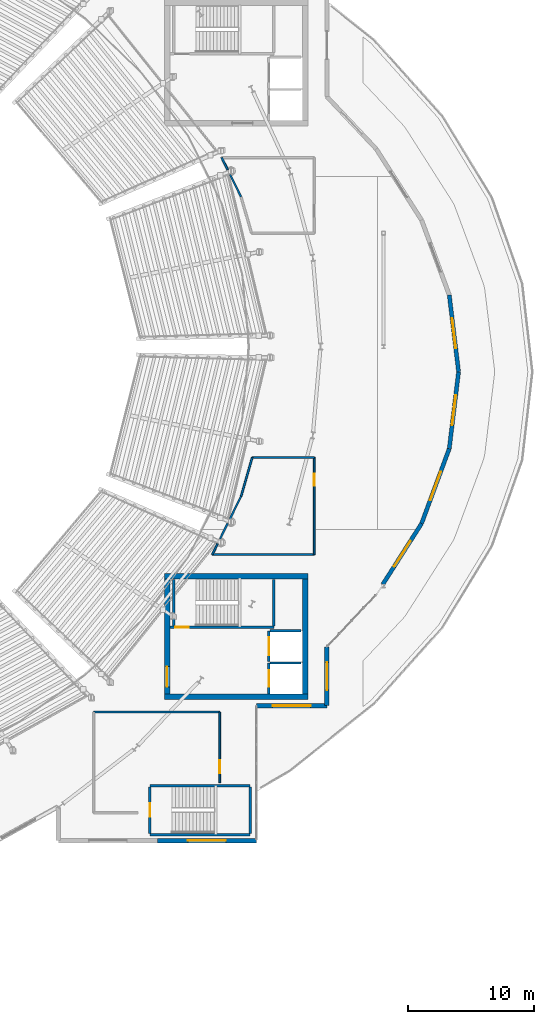
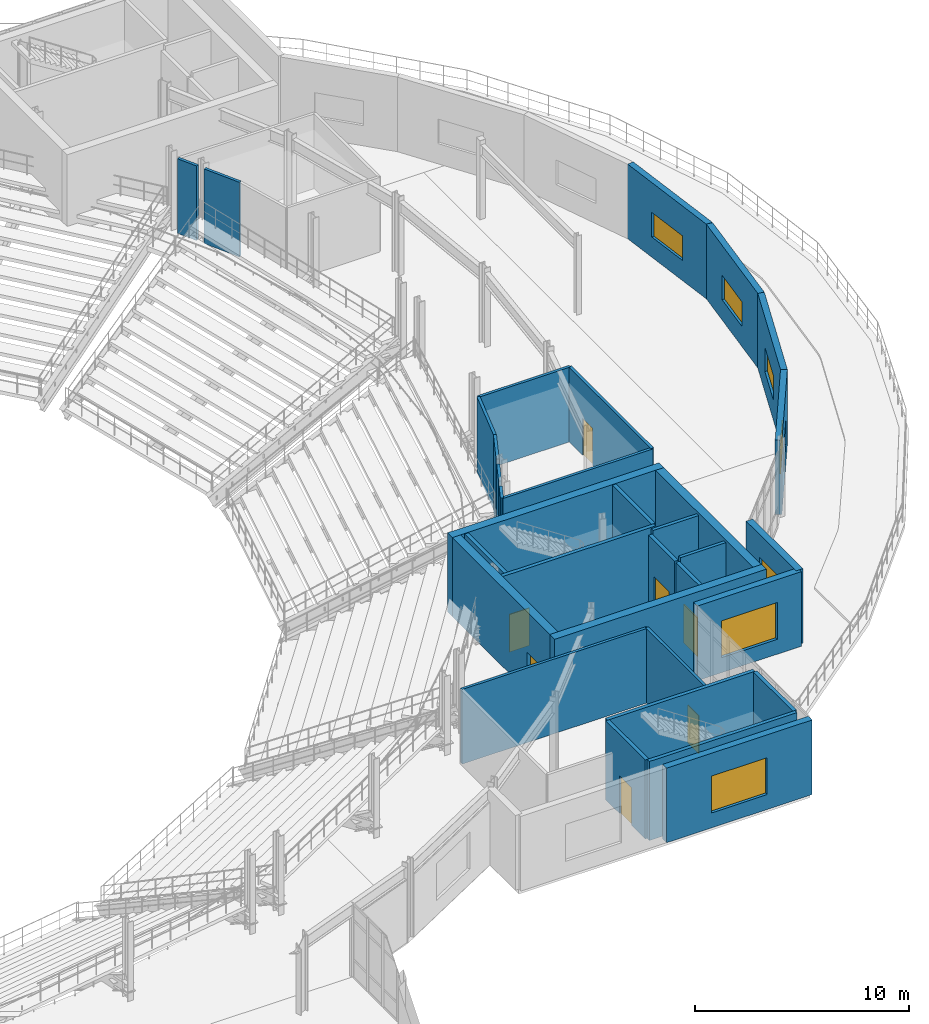
# One storey, part 59 of 81: 33 walls, 7 doors, 7 windows, 14 openings.
"""IFC4 building model written with IfcOpenShell, lengths in metres."""

from ifc_helpers import new_model, si_unit, direction, frame, frame_2d, origin, place, context, subcontext, project, spatial, rectangle, extrude, material, layer, layer_set, type_object, element, fill, save


model = new_model("IFC4")

# Units and contexts
model_context = context("Model", 3, precision=1e-05, world=origin(), true_north=direction((0.0, 1.0)))
body_context = subcontext(model_context, "Body", "Model", "MODEL_VIEW")
ifc_project = project(units=[si_unit("LENGTHUNIT", "METRE"), si_unit("AREAUNIT", "SQUARE_METRE"), si_unit("VOLUMEUNIT", "CUBIC_METRE"), si_unit("PLANEANGLEUNIT", "RADIAN"), si_unit("MASSUNIT", "GRAM", prefix="KILO")], contexts=[model_context])

# Site, building, storey
site_placement = place(None, origin())
site = spatial("IfcSite", under=ifc_project, at=site_placement, CompositionType="ELEMENT")
building_placement = place(site_placement, origin())
building = spatial("IfcBuilding", under=site, at=building_placement, Name="Glasvene Arena", CompositionType="ELEMENT")
storey_placement = place(building_placement, frame((0.0, 0.0, 15.0)))
storey = spatial("IfcBuildingStorey", under=building, at=storey_placement, Name="L03", CompositionType="ELEMENT", Elevation=15.0)

# Walls
ifc_material_1 = material(Name="Concrete C40/50", Category="concrete")
ifc_layer_1 = layer(ifc_material_1, 0.449951171875)
ifc_layer_set_1 = layer_set([ifc_layer_1], Name="Concrete C40/50")
wall_type_1 = type_object("IfcWallType", Name="WL-CORE-450", PredefinedType="SHEAR", material=ifc_layer_set_1)
for number, where, z_axis, x_axis, name in (
    (1, (129.60009765625, 45.22509765625, 0.0), (0.0, 0.0, 1.0), (1.0, 0.0, 0.0), "Core C4 South-East shear wall S L03"),
    (2, (129.60009765625, 54.77490234375, 0.0), (0.0, 0.0, 1.0), (1.0, 0.0, 0.0), "Core C4 South-East shear wall N L03"),
):
    element("IfcWall", number, at=place(storey_placement, frame(where, z_axis=z_axis, x_axis=x_axis)), inside=storey, type_object=wall_type_1, Name=name, PredefinedType="SHEAR", context=body_context, shape_type="SweptSolid", body=[
        extrude(rectangle(XDim=11.39990234375, YDim=0.449951171875, at=frame_2d((5.699951171875, 0.0))), origin(), (0.0, 0.0, 1.0), 4.5),
    ])

# Wall, opening, door
wall_1_placement = place(storey_placement, frame((129.824951171875, 45.449951171875, 0.0), z_axis=(0.0, 0.0, 1.0), x_axis=(0.0, 1.0, 0.0)))
wall_1 = element("IfcWall", 3, at=wall_1_placement, inside=storey, type_object=wall_type_1, Name="Core C4 South-East shear wall W L03", PredefinedType="SHEAR", context=body_context, shape_type="SweptSolid", body=[
    extrude(rectangle(XDim=9.10009765625, YDim=0.449951171875, at=frame_2d((4.550048828125, 0.0))), origin(), (0.0, 0.0, 1.0), 4.5),
])
opening_1_placement = place(wall_1_placement, frame((0.550048828125, 0.0, 0.0)))
opening_1 = element("IfcOpeningElement", 4, at=opening_1_placement, cuts=wall_1, Name="Opening D-02", PredefinedType="OPENING", context=body_context, shape_type="SweptSolid", body=[
    extrude(rectangle(XDim=1.60009765625, YDim=2.199951171875, at=frame_2d((0.800048828125, 1.10009765625))), frame((0.0, 0.23486328125, 0.0), z_axis=(0.0, -1.0, 0.0), x_axis=(1.0, 0.0, 0.0)), (0.0, 0.0, 1.0), 0.469970703125),
])
ifc_material_2 = material(Name="Painted fire-resisting steel", Category="steel")
door_type_1 = type_object("IfcDoorType", Name="DR-FD60-1600", OperationType="DOUBLE_DOOR_SINGLE_SWING", PredefinedType="DOOR", material=ifc_material_2)
door_1_placement = place(opening_1_placement, frame((1.60009765625, 0.0, 0.0), z_axis=(0.0, 0.0, 1.0), x_axis=(-1.0, 0.0, 0.0)))
door_1 = element("IfcDoor", 5, at=door_1_placement, inside=storey, type_object=door_type_1, Name="Core firefighting lobby concourse door C4-L03", OperationType="DOUBLE_DOOR_SINGLE_SWING", OverallHeight=2.199951171875, OverallWidth=1.60009765625, PredefinedType="DOOR", context=body_context, shape_type="SweptSolid", body=[
    extrude(rectangle(XDim=1.60009765625, YDim=2.199951171875, at=frame_2d((0.800048828125, 1.10009765625))), frame((0.0, 0.02490234375, 0.0), z_axis=(0.0, -1.0, 0.0), x_axis=(1.0, 0.0, 0.0)), (0.0, 0.0, 1.0), 0.050048828125),
])
fill(opening_1, door_1)

# Wall
wall_2_placement = place(storey_placement, frame((140.77490234375, 45.449951171875, 0.0), z_axis=(0.0, 0.0, 1.0), x_axis=(0.0, 1.0, 0.0)))
element("IfcWall", 6, at=wall_2_placement, inside=storey, type_object=wall_type_1, Name="Core C4 South-East shear wall E L03", PredefinedType="SHEAR", context=body_context, shape_type="SweptSolid", body=[
    extrude(rectangle(XDim=9.10009765625, YDim=0.449951171875, at=frame_2d((4.550048828125, 0.0))), origin(), (0.0, 0.0, 1.0), 4.5),
])

# Wall, opening, window
ifc_material_3 = material(Name="Coursed pale Irish limestone", Category="masonry")
ifc_layer_2 = layer(ifc_material_3, 0.360107421875)
ifc_layer_set_2 = layer_set([ifc_layer_2], Name="Coursed pale Irish limestone")
wall_type_2 = type_object("IfcWallType", Name="WL-EXT-LIM-360", PredefinedType="STANDARD", material=ifc_layer_set_2)
wall_3_placement = place(storey_placement, frame((142.5, 49.165283203125, 0.0), z_axis=(0.0, 0.0, 1.0), x_axis=(0.0, -1.0, 0.0)))
wall_3 = element("IfcWall", 7, at=wall_3_placement, inside=storey, type_object=wall_type_2, Name="External facade wall EW-L03-0213", PredefinedType="STANDARD", context=body_context, shape_type="SweptSolid", body=[
    extrude(rectangle(XDim=4.665283203125, YDim=0.360107421875, at=frame_2d((2.33251953125, 0.0))), origin(), (0.0, 0.0, 1.0), 4.25),
])
opening_2_placement = place(wall_3_placement, frame((1.23291015625, 0.0, 0.85009765625)))
opening_2 = element("IfcOpeningElement", 8, at=opening_2_placement, cuts=wall_3, Name="Opening W-09", PredefinedType="OPENING", context=body_context, shape_type="SweptSolid", body=[
    extrude(rectangle(XDim=2.199951171875, YDim=2.10009765625, at=frame_2d((1.10009765625, 1.050048828125))), frame((0.0, 0.18994140625, 0.0), z_axis=(0.0, -1.0, 0.0), x_axis=(1.0, 0.0, 0.0)), (0.0, 0.0, 1.0), 0.380126953125),
])
ifc_material_4 = material(Name="Low-emissivity laminated double glazing", Category="glass")
window_type_1 = type_object("IfcWindowType", Name="WN-SUITE-220x210", PartitioningType="DOUBLE_PANEL_VERTICAL", PredefinedType="WINDOW", material=ifc_material_4)
window_1_placement = place(opening_2_placement, origin())
window_1 = element("IfcWindow", 9, at=window_1_placement, inside=storey, type_object=window_type_1, Name="Facade window WN-SUITE-220x210 L03-0137", OverallHeight=2.10009765625, OverallWidth=2.199951171875, PartitioningType="SINGLE_PANEL", PredefinedType="WINDOW", context=body_context, shape_type="SweptSolid", body=[
    extrude(rectangle(XDim=2.199951171875, YDim=2.10009765625, at=frame_2d((1.10009765625, 1.050048828125))), frame((0.0, 0.030029296875, 0.0), z_axis=(0.0, -1.0, 0.0), x_axis=(1.0, 0.0, 0.0)), (0.0, 0.0, 1.0), 0.06005859375),
])
fill(opening_2, window_1)

wall_4_placement = place(storey_placement, frame((142.5, 44.5, 0.0), z_axis=(0.0, 0.0, 1.0), x_axis=(-1.0, 0.0, 0.0)))
wall_4 = element("IfcWall", 10, at=wall_4_placement, inside=storey, type_object=wall_type_2, Name="External facade wall EW-L03-0214", PredefinedType="STANDARD", context=body_context, shape_type="SweptSolid", body=[
    extrude(rectangle(XDim=5.60009765625, YDim=0.360107421875, at=frame_2d((2.800048828125, 0.0))), origin(), (0.0, 0.0, 1.0), 4.25),
])
opening_3_placement = place(wall_4_placement, frame((1.300048828125, 0.0, 0.85009765625)))
opening_3 = element("IfcOpeningElement", 11, at=opening_3_placement, cuts=wall_4, Name="Opening W-08", PredefinedType="OPENING", context=body_context, shape_type="SweptSolid", body=[
    extrude(rectangle(XDim=3.0, YDim=2.10009765625, at=frame_2d((1.5, 1.050048828125))), frame((0.0, 0.18994140625, 0.0), z_axis=(0.0, -1.0, 0.0), x_axis=(1.0, 0.0, 0.0)), (0.0, 0.0, 1.0), 0.380126953125),
])
window_type_2 = type_object("IfcWindowType", Name="WN-SUITE-300x210", PartitioningType="DOUBLE_PANEL_VERTICAL", PredefinedType="WINDOW", material=ifc_material_4)
window_2_placement = place(opening_3_placement, origin())
window_2 = element("IfcWindow", 12, at=window_2_placement, inside=storey, type_object=window_type_2, Name="Facade window WN-SUITE-300x210 L03-0138", OverallHeight=2.10009765625, OverallWidth=3.0, PartitioningType="SINGLE_PANEL", PredefinedType="WINDOW", context=body_context, shape_type="SweptSolid", body=[
    extrude(rectangle(XDim=3.0, YDim=2.10009765625, at=frame_2d((1.5, 1.050048828125))), frame((0.0, 0.030029296875, 0.0), z_axis=(0.0, -1.0, 0.0), x_axis=(1.0, 0.0, 0.0)), (0.0, 0.0, 1.0), 0.06005859375),
])
fill(opening_3, window_2)

wall_5_placement = place(storey_placement, frame((136.89990234375, 33.800048828125, 0.0), z_axis=(0.0, 0.0, 1.0), x_axis=(-1.0, 0.0, 0.0)))
wall_5 = element("IfcWall", 13, at=wall_5_placement, inside=storey, type_object=wall_type_2, Name="External facade wall EW-L03-0215", PredefinedType="STANDARD", context=body_context, shape_type="SweptSolid", body=[
    extrude(rectangle(XDim=7.849853515625, YDim=0.360107421875, at=frame_2d((3.9248046875, 0.0))), origin(), (0.0, 0.0, 1.0), 4.25),
])
opening_4_placement = place(wall_5_placement, frame((2.425048828125, 0.0, 0.85009765625)))
opening_4 = element("IfcOpeningElement", 14, at=opening_4_placement, cuts=wall_5, Name="Opening W-08", PredefinedType="OPENING", context=body_context, shape_type="SweptSolid", body=[
    extrude(rectangle(XDim=3.0, YDim=2.10009765625, at=frame_2d((1.5, 1.050048828125))), frame((0.0, 0.18994140625, 0.0), z_axis=(0.0, -1.0, 0.0), x_axis=(1.0, 0.0, 0.0)), (0.0, 0.0, 1.0), 0.380126953125),
])
window_3_placement = place(opening_4_placement, origin())
window_3 = element("IfcWindow", 15, at=window_3_placement, inside=storey, type_object=window_type_2, Name="Facade window WN-SUITE-300x210 L03-0139", OverallHeight=2.10009765625, OverallWidth=3.0, PartitioningType="SINGLE_PANEL", PredefinedType="WINDOW", context=body_context, shape_type="SweptSolid", body=[
    extrude(rectangle(XDim=3.0, YDim=2.10009765625, at=frame_2d((1.5, 1.050048828125))), frame((0.0, 0.030029296875, 0.0), z_axis=(0.0, -1.0, 0.0), x_axis=(1.0, 0.0, 0.0)), (0.0, 0.0, 1.0), 0.06005859375),
])
fill(opening_4, window_3)

ifc_material_5 = material(Name="Precast concrete C50/60", Category="concrete")
ifc_layer_3 = layer(ifc_material_5, 0.320068359375)
ifc_layer_set_3 = layer_set([ifc_layer_3], Name="Precast concrete C50/60")
wall_type_3 = type_object("IfcWallType", Name="WL-EXT-PRC-320", PredefinedType="STANDARD", material=ifc_layer_set_3)
wall_6_placement = place(storey_placement, frame((152.2119140625, 77.093017578125, 0.0), z_axis=(0.0, 0.0, 1.0), x_axis=(0.120249398886, -0.992743714192, 0.0)))
wall_6 = element("IfcWall", 16, at=wall_6_placement, inside=storey, type_object=wall_type_3, Name="External facade wall EW-L03-0209", PredefinedType="STANDARD", context=body_context, shape_type="SweptSolid", body=[
    extrude(rectangle(XDim=6.137451171875, YDim=0.320068359375, at=frame_2d((3.06884765625, 0.0))), origin(), (0.0, 0.0, 1.0), 4.25),
])
opening_5_placement = place(wall_6_placement, frame((1.868896484375, 0.0, 1.14990234375)))
opening_5 = element("IfcOpeningElement", 17, at=opening_5_placement, cuts=wall_6, Name="Opening W-18", PredefinedType="OPENING", context=body_context, shape_type="SweptSolid", body=[
    extrude(rectangle(XDim=2.39990234375, YDim=1.39990234375, at=frame_2d((1.199951171875, 0.699951171875))), frame((0.0, 0.169921875, 0.0), z_axis=(0.0, -1.0, 0.0), x_axis=(1.0, 0.0, 0.0)), (0.0, 0.0, 1.0), 0.340087890625),
])
window_type_3 = type_object("IfcWindowType", Name="WN-LOUV-240x140", PartitioningType="DOUBLE_PANEL_HORIZONTAL", PredefinedType="WINDOW", material=ifc_material_4)
window_4_placement = place(opening_5_placement, origin())
window_4 = element("IfcWindow", 18, at=window_4_placement, inside=storey, type_object=window_type_3, Name="Facade window WN-LOUV-240x140 L03-0133", OverallHeight=1.39990234375, OverallWidth=2.39990234375, PartitioningType="SINGLE_PANEL", PredefinedType="WINDOW", context=body_context, shape_type="SweptSolid", body=[
    extrude(rectangle(XDim=2.39990234375, YDim=1.39990234375, at=frame_2d((1.199951171875, 0.699951171875))), frame((0.0, 0.030029296875, 0.0), z_axis=(0.0, -1.0, 0.0), x_axis=(1.0, 0.0, 0.0)), (0.0, 0.0, 1.0), 0.06005859375),
])
fill(opening_5, window_4)

wall_7_placement = place(storey_placement, frame((152.949951171875, 71.0, 0.0), z_axis=(0.0, 0.0, 1.0), x_axis=(-0.120249398886, -0.992743714192, 0.0)))
wall_7 = element("IfcWall", 19, at=wall_7_placement, inside=storey, type_object=wall_type_3, Name="External facade wall EW-L03-0210", PredefinedType="STANDARD", context=body_context, shape_type="SweptSolid", body=[
    extrude(rectangle(XDim=6.137451171875, YDim=0.320068359375, at=frame_2d((3.06884765625, 0.0))), origin(), (0.0, 0.0, 1.0), 4.25),
])
opening_6_placement = place(wall_7_placement, frame((1.868896484375, 0.0, 1.14990234375)))
opening_6 = element("IfcOpeningElement", 20, at=opening_6_placement, cuts=wall_7, Name="Opening W-18", PredefinedType="OPENING", context=body_context, shape_type="SweptSolid", body=[
    extrude(rectangle(XDim=2.39990234375, YDim=1.39990234375, at=frame_2d((1.199951171875, 0.699951171875))), frame((0.0, 0.169921875, 0.0), z_axis=(0.0, -1.0, 0.0), x_axis=(1.0, 0.0, 0.0)), (0.0, 0.0, 1.0), 0.340087890625),
])
window_5_placement = place(opening_6_placement, origin())
window_5 = element("IfcWindow", 21, at=window_5_placement, inside=storey, type_object=window_type_3, Name="Facade window WN-LOUV-240x140 L03-0134", OverallHeight=1.39990234375, OverallWidth=2.39990234375, PartitioningType="SINGLE_PANEL", PredefinedType="WINDOW", context=body_context, shape_type="SweptSolid", body=[
    extrude(rectangle(XDim=2.39990234375, YDim=1.39990234375, at=frame_2d((1.199951171875, 0.699951171875))), frame((0.0, 0.030029296875, 0.0), z_axis=(0.0, -1.0, 0.0), x_axis=(1.0, 0.0, 0.0)), (0.0, 0.0, 1.0), 0.06005859375),
])
fill(opening_6, window_5)

wall_8_placement = place(storey_placement, frame((152.2119140625, 64.906982421875, 0.0), z_axis=(0.0, 0.0, 1.0), x_axis=(-0.346605182527, -0.938011112645, 0.0)))
wall_8 = element("IfcWall", 22, at=wall_8_placement, inside=storey, type_object=wall_type_3, Name="External facade wall EW-L03-0211", PredefinedType="STANDARD", context=body_context, shape_type="SweptSolid", body=[
    extrude(rectangle(XDim=6.3359375, YDim=0.320068359375, at=frame_2d((3.16796875, 0.0))), origin(), (0.0, 0.0, 1.0), 4.25),
])
opening_7_placement = place(wall_8_placement, frame((1.968017578125, 0.0, 1.14990234375)))
opening_7 = element("IfcOpeningElement", 23, at=opening_7_placement, cuts=wall_8, Name="Opening W-18", PredefinedType="OPENING", context=body_context, shape_type="SweptSolid", body=[
    extrude(rectangle(XDim=2.39990234375, YDim=1.39990234375, at=frame_2d((1.199951171875, 0.699951171875))), frame((0.0, 0.169921875, 0.0), z_axis=(0.0, -1.0, 0.0), x_axis=(1.0, 0.0, 0.0)), (0.0, 0.0, 1.0), 0.340087890625),
])
window_6_placement = place(opening_7_placement, origin())
window_6 = element("IfcWindow", 24, at=window_6_placement, inside=storey, type_object=window_type_3, Name="Facade window WN-LOUV-240x140 L03-0135", OverallHeight=1.39990234375, OverallWidth=2.39990234375, PartitioningType="SINGLE_PANEL", PredefinedType="WINDOW", context=body_context, shape_type="SweptSolid", body=[
    extrude(rectangle(XDim=2.39990234375, YDim=1.39990234375, at=frame_2d((1.199951171875, 0.699951171875))), frame((0.0, 0.030029296875, 0.0), z_axis=(0.0, -1.0, 0.0), x_axis=(1.0, 0.0, 0.0)), (0.0, 0.0, 1.0), 0.06005859375),
])
fill(opening_7, window_6)

wall_9_placement = place(storey_placement, frame((150.015869140625, 58.9638671875, 0.0), z_axis=(0.0, 0.0, 1.0), x_axis=(-0.537594826809, -0.843203298255, 0.0)))
wall_9 = element("IfcWall", 25, at=wall_9_placement, inside=storey, type_object=wall_type_3, Name="External facade wall EW-L03-0212", PredefinedType="STANDARD", context=body_context, shape_type="SweptSolid", body=[
    extrude(rectangle(XDim=5.730224609375, YDim=0.320068359375, at=frame_2d((2.865234375, 0.0))), origin(), (0.0, 0.0, 1.0), 4.25),
])
opening_8_placement = place(wall_9_placement, frame((1.6650390625, 0.0, 1.14990234375)))
opening_8 = element("IfcOpeningElement", 26, at=opening_8_placement, cuts=wall_9, Name="Opening W-18", PredefinedType="OPENING", context=body_context, shape_type="SweptSolid", body=[
    extrude(rectangle(XDim=2.39990234375, YDim=1.39990234375, at=frame_2d((1.199951171875, 0.699951171875))), frame((0.0, 0.169921875, 0.0), z_axis=(0.0, -1.0, 0.0), x_axis=(1.0, 0.0, 0.0)), (0.0, 0.0, 1.0), 0.340087890625),
])
window_7_placement = place(opening_8_placement, origin())
window_7 = element("IfcWindow", 27, at=window_7_placement, inside=storey, type_object=window_type_3, Name="Facade window WN-LOUV-240x140 L03-0136", OverallHeight=1.39990234375, OverallWidth=2.39990234375, PartitioningType="SINGLE_PANEL", PredefinedType="WINDOW", context=body_context, shape_type="SweptSolid", body=[
    extrude(rectangle(XDim=2.39990234375, YDim=1.39990234375, at=frame_2d((1.199951171875, 0.699951171875))), frame((0.0, 0.030029296875, 0.0), z_axis=(0.0, -1.0, 0.0), x_axis=(1.0, 0.0, 0.0)), (0.0, 0.0, 1.0), 0.06005859375),
])
fill(opening_8, window_7)

# Wall, opening, door
ifc_material_6 = material(Name="Insulated acoustic metal-stud partition")
ifc_layer_4 = layer(ifc_material_6, 0.14990234375)
ifc_layer_set_4 = layer_set([ifc_layer_4], Name="Insulated acoustic metal-stud partition")
wall_type_4 = type_object("IfcWallType", Name="WL-PART-150", PredefinedType="PARTITIONING", material=ifc_layer_set_4)
wall_10_placement = place(storey_placement, frame((141.5, 64.199951171875, 0.0), z_axis=(0.0, 0.0, 1.0), x_axis=(0.0, -1.0, 0.0)))
wall_10 = element("IfcWall", 28, at=wall_10_placement, inside=storey, type_object=wall_type_4, Name="Interior partition wall IW-L03-0255 (Founders Hospitality Suite 03)", PredefinedType="PARTITIONING", context=body_context, shape_type="SweptSolid", body=[
    extrude(rectangle(XDim=7.699951171875, YDim=0.14990234375, at=frame_2d((3.85009765625, 0.0))), origin(), (0.0, 0.0, 1.0), 4.25),
])
opening_9_placement = place(wall_10_placement, frame((1.30810546875, 0.0, 0.0)))
opening_9 = element("IfcOpeningElement", 29, at=opening_9_placement, cuts=wall_10, Name="Opening D-07", PredefinedType="OPENING", context=body_context, shape_type="SweptSolid", body=[
    extrude(rectangle(XDim=0.949951171875, YDim=2.10009765625, at=frame_2d((0.47509765625, 1.050048828125))), frame((0.0, 0.0849609375, 0.0), z_axis=(0.0, -1.0, 0.0), x_axis=(1.0, 0.0, 0.0)), (0.0, 0.0, 1.0), 0.169921875),
])
ifc_material_7 = material(Name="European oak fire-resisting timber", Category="wood")
door_type_2 = type_object("IfcDoorType", Name="DR-FD30-950", OperationType="NOTDEFINED", PredefinedType="DOOR", material=ifc_material_7)
door_2_placement = place(opening_9_placement, origin())
door_2 = element("IfcDoor", 30, at=door_2_placement, inside=storey, type_object=door_type_2, Name="Interior door DR-FD30-950 (Founders Hospitality Suite 03)", OperationType="SINGLE_SWING_LEFT", OverallHeight=2.10009765625, OverallWidth=0.949951171875, PredefinedType="DOOR", context=body_context, shape_type="SweptSolid", body=[
    extrude(rectangle(XDim=0.949951171875, YDim=2.10009765625, at=frame_2d((0.47509765625, 1.050048828125))), frame((0.0, 0.02490234375, 0.0), z_axis=(0.0, -1.0, 0.0), x_axis=(1.0, 0.0, 0.0)), (0.0, 0.0, 1.0), 0.050048828125),
])
fill(opening_9, door_2)

# Walls
wall_11_placement = place(storey_placement, frame((141.5, 56.5, 0.0), z_axis=(0.0, 0.0, 1.0), x_axis=(-1.0, 0.0, 0.0)))
element("IfcWall", 31, at=wall_11_placement, inside=storey, type_object=wall_type_4, Name="Interior partition wall IW-L03-0256 (Founders Hospitality Suite 03)", PredefinedType="PARTITIONING", context=body_context, shape_type="SweptSolid", body=[
    extrude(rectangle(XDim=8.095947265625, YDim=0.14990234375, at=frame_2d((4.0478515625, 0.0))), origin(), (0.0, 0.0, 1.0), 4.25),
])
wall_12_placement = place(storey_placement, frame((133.404052734375, 56.5, 0.0), z_axis=(0.0, 0.0, 1.0), x_axis=(0.443825932652, 0.896113018266, 0.0)))
element("IfcWall", 32, at=wall_12_placement, inside=storey, type_object=wall_type_4, Name="Interior partition wall IW-L03-0257 (Founders Hospitality Suite 03)", PredefinedType="PARTITIONING", context=body_context, shape_type="SweptSolid", body=[
    extrude(rectangle(XDim=0.9521484375, YDim=0.14990234375, at=frame_2d((0.47607421875, 0.0))), origin(), (0.0, 0.0, 1.0), 4.25),
])
wall_13_placement = place(storey_placement, frame((134.0146484375, 57.73291015625, 0.0), z_axis=(0.0, 0.0, 1.0), x_axis=(0.443806011155, 0.896122884689, 0.0)))
element("IfcWall", 33, at=wall_13_placement, inside=storey, type_object=wall_type_4, Name="Interior partition wall IW-L03-0258 (Founders Hospitality Suite 03)", PredefinedType="PARTITIONING", context=body_context, shape_type="SweptSolid", body=[
    extrude(rectangle(XDim=1.376953125, YDim=0.14990234375, at=frame_2d((0.6884765625, 0.0))), origin(), (0.0, 0.0, 1.0), 4.25),
])
wall_14_placement = place(storey_placement, frame((134.81396484375, 59.34716796875, 0.0), z_axis=(0.0, 0.0, 1.0), x_axis=(0.443792730562, 0.896129461797, 0.0)))
element("IfcWall", 34, at=wall_14_placement, inside=storey, type_object=wall_type_4, Name="Interior partition wall IW-L03-0259 (Founders Hospitality Suite 03)", PredefinedType="PARTITIONING", context=body_context, shape_type="SweptSolid", body=[
    extrude(rectangle(XDim=1.9716796875, YDim=0.14990234375, at=frame_2d((0.98583984375, 0.0))), origin(), (0.0, 0.0, 1.0), 4.25),
])
wall_15_placement = place(storey_placement, frame((135.68896484375, 61.114013671875, 0.0), z_axis=(0.0, 0.0, 1.0), x_axis=(0.276096717693, 0.96112985724, 0.0)))
element("IfcWall", 35, at=wall_15_placement, inside=storey, type_object=wall_type_4, Name="Interior partition wall IW-L03-0260 (Founders Hospitality Suite 03)", PredefinedType="PARTITIONING", context=body_context, shape_type="SweptSolid", body=[
    extrude(rectangle(XDim=3.210693359375, YDim=0.14990234375, at=frame_2d((1.60546875, 0.0))), origin(), (0.0, 0.0, 1.0), 4.25),
])
wall_16_placement = place(storey_placement, frame((136.575439453125, 64.199951171875, 0.0), z_axis=(0.0, 0.0, 1.0), x_axis=(1.0, 0.0, 0.0)))
element("IfcWall", 36, at=wall_16_placement, inside=storey, type_object=wall_type_4, Name="Interior partition wall IW-L03-0261 (Founders Hospitality Suite 03)", PredefinedType="PARTITIONING", context=body_context, shape_type="SweptSolid", body=[
    extrude(rectangle(XDim=4.924560546875, YDim=0.14990234375, at=frame_2d((2.46240234375, 0.0))), origin(), (0.0, 0.0, 1.0), 4.25),
])
wall_17_placement = place(storey_placement, frame((135.68896484375, 84.885986328125, 0.0), z_axis=(0.0, 0.0, 1.0), x_axis=(-0.443693284065, 0.896178704096, 0.0)))
element("IfcWall", 37, at=wall_17_placement, inside=storey, type_object=wall_type_4, Name="Interior partition wall IW-L03-0265 (Founders Hospitality Suite 04)", PredefinedType="PARTITIONING", context=body_context, shape_type="SweptSolid", body=[
    extrude(rectangle(XDim=1.971435546875, YDim=0.14990234375, at=frame_2d((0.98583984375, 0.0))), origin(), (0.0, 0.0, 1.0), 4.25),
])
wall_18_placement = place(storey_placement, frame((134.625732421875, 87.033203125, 0.0), z_axis=(0.0, 0.0, 1.0), x_axis=(-0.443588797361, 0.896230427321, 0.0)))
element("IfcWall", 38, at=wall_18_placement, inside=storey, type_object=wall_type_4, Name="Interior partition wall IW-L03-0266 (Founders Hospitality Suite 04)", PredefinedType="PARTITIONING", context=body_context, shape_type="SweptSolid", body=[
    extrude(rectangle(XDim=1.078857421875, YDim=0.14990234375, at=frame_2d((0.53955078125, 0.0))), origin(), (0.0, 0.0, 1.0), 4.25),
])
wall_19_placement = place(storey_placement, frame((124.0, 44.0, 0.0), z_axis=(0.0, 0.0, 1.0), x_axis=(1.0, 0.0, 0.0)))
element("IfcWall", 39, at=wall_19_placement, inside=storey, type_object=wall_type_4, Name="Interior partition wall IW-L03-0270 (Suite Pantry and Sommelier Store)", PredefinedType="PARTITIONING", context=body_context, shape_type="SweptSolid", body=[
    extrude(rectangle(XDim=10.0, YDim=0.14990234375, at=frame_2d((5.0, 0.0))), origin(), (0.0, 0.0, 1.0), 4.25),
])

# Wall, opening, door
wall_20_placement = place(storey_placement, frame((134.0, 44.0, 0.0), z_axis=(0.0, 0.0, 1.0), x_axis=(0.0, -1.0, 0.0)))
wall_20 = element("IfcWall", 40, at=wall_20_placement, inside=storey, type_object=wall_type_4, Name="Interior partition wall IW-L03-0271 (Suite Pantry and Sommelier Store)", PredefinedType="PARTITIONING", context=body_context, shape_type="SweptSolid", body=[
    extrude(rectangle(XDim=5.60009765625, YDim=0.14990234375, at=frame_2d((2.800048828125, 0.0))), origin(), (0.0, 0.0, 1.0), 4.25),
])
opening_10_placement = place(wall_20_placement, frame((3.81298828125, 0.0, 0.0)))
opening_10 = element("IfcOpeningElement", 41, at=opening_10_placement, cuts=wall_20, Name="Opening D-05", PredefinedType="OPENING", context=body_context, shape_type="SweptSolid", body=[
    extrude(rectangle(XDim=1.050048828125, YDim=2.14990234375, at=frame_2d((0.52490234375, 1.074951171875))), frame((0.0, 0.0849609375, 0.0), z_axis=(0.0, -1.0, 0.0), x_axis=(1.0, 0.0, 0.0)), (0.0, 0.0, 1.0), 0.169921875),
])
door_type_3 = type_object("IfcDoorType", Name="DR-FD60-1050", OperationType="NOTDEFINED", PredefinedType="DOOR", material=ifc_material_2)
door_3_placement = place(opening_10_placement, origin())
door_3 = element("IfcDoor", 42, at=door_3_placement, inside=storey, type_object=door_type_3, Name="Interior door DR-FD60-1050 (Suite Pantry and Sommelier Store)", OperationType="SINGLE_SWING_LEFT", OverallHeight=2.14990234375, OverallWidth=1.050048828125, PredefinedType="DOOR", context=body_context, shape_type="SweptSolid", body=[
    extrude(rectangle(XDim=1.050048828125, YDim=2.14990234375, at=frame_2d((0.52490234375, 1.074951171875))), frame((0.0, 0.02490234375, 0.0), z_axis=(0.0, -1.0, 0.0), x_axis=(1.0, 0.0, 0.0)), (0.0, 0.0, 1.0), 0.050048828125),
])
fill(opening_10, door_3)

ifc_layer_5 = layer(ifc_material_1, 0.199951171875)
ifc_layer_set_5 = layer_set([ifc_layer_5], Name="Concrete C40/50")
wall_type_5 = type_object("IfcWallType", Name="WL-SHAFT-200", PredefinedType="SHEAR", material=ifc_layer_set_5)
wall_21_placement = place(storey_placement, frame((137.89990234375, 45.449951171875, 0.0), z_axis=(0.0, 0.0, 1.0), x_axis=(0.0, 1.0, 0.0)))
wall_21 = element("IfcWall", 43, at=wall_21_placement, inside=storey, type_object=wall_type_5, Name="Lift shaft front wall FFL-04 L03", PredefinedType="SHEAR", context=body_context, shape_type="SweptSolid", body=[
    extrude(rectangle(XDim=2.449951171875, YDim=0.199951171875, at=frame_2d((1.22509765625, 0.0))), origin(), (0.0, 0.0, 1.0), 4.25),
])
opening_11_placement = place(wall_21_placement, frame((0.574951171875, 0.0, 0.0)))
opening_11 = element("IfcOpeningElement", 44, at=opening_11_placement, cuts=wall_21, Name="Opening LD-FF", PredefinedType="OPENING", context=body_context, shape_type="SweptSolid", body=[
    extrude(rectangle(XDim=1.300048828125, YDim=2.199951171875, at=frame_2d((0.64990234375, 1.10009765625))), frame((0.0, 0.10986328125, 0.0), z_axis=(0.0, -1.0, 0.0), x_axis=(1.0, 0.0, 0.0)), (0.0, 0.0, 1.0), 0.219970703125),
])
ifc_material_8 = material(Name="Brushed stainless steel", Category="steel")
door_type_4 = type_object("IfcDoorType", Name="LD-FFL-1300", OperationType="DOUBLE_DOOR_SLIDING", PredefinedType="DOOR", material=ifc_material_8)
door_4_placement = place(opening_11_placement, origin())
door_4 = element("IfcDoor", 45, at=door_4_placement, inside=storey, type_object=door_type_4, Name="Lift sliding landing door LD-FFL-04-L03", OperationType="DOUBLE_DOOR_SLIDING", OverallHeight=2.199951171875, OverallWidth=1.300048828125, PredefinedType="DOOR", context=body_context, shape_type="SweptSolid", body=[
    extrude(rectangle(XDim=1.300048828125, YDim=2.199951171875, at=frame_2d((0.64990234375, 1.10009765625))), frame((0.0, 0.02490234375, 0.0), z_axis=(0.0, -1.0, 0.0), x_axis=(1.0, 0.0, 0.0)), (0.0, 0.0, 1.0), 0.050048828125),
])
fill(opening_11, door_4)

wall_22_placement = place(storey_placement, frame((137.89990234375, 48.0, 0.0), z_axis=(0.0, 0.0, 1.0), x_axis=(0.0, 1.0, 0.0)))
wall_22 = element("IfcWall", 46, at=wall_22_placement, inside=storey, type_object=wall_type_5, Name="Lift shaft front wall PL-04 L03", PredefinedType="SHEAR", context=body_context, shape_type="SweptSolid", body=[
    extrude(rectangle(XDim=2.449951171875, YDim=0.199951171875, at=frame_2d((1.22509765625, 0.0))), origin(), (0.0, 0.0, 1.0), 4.25),
])
opening_12_placement = place(wall_22_placement, frame((0.52490234375, 0.0, 0.0)))
opening_12 = element("IfcOpeningElement", 47, at=opening_12_placement, cuts=wall_22, Name="Opening LD-PL", PredefinedType="OPENING", context=body_context, shape_type="SweptSolid", body=[
    extrude(rectangle(XDim=1.39990234375, YDim=2.199951171875, at=frame_2d((0.699951171875, 1.10009765625))), frame((0.0, 0.10986328125, 0.0), z_axis=(0.0, -1.0, 0.0), x_axis=(1.0, 0.0, 0.0)), (0.0, 0.0, 1.0), 0.219970703125),
])
door_type_5 = type_object("IfcDoorType", Name="LD-PL-1400", OperationType="DOUBLE_DOOR_SLIDING", PredefinedType="DOOR", material=ifc_material_8)
door_5_placement = place(opening_12_placement, origin())
door_5 = element("IfcDoor", 48, at=door_5_placement, inside=storey, type_object=door_type_5, Name="Lift sliding landing door LD-PL-04-L03", OperationType="DOUBLE_DOOR_SLIDING", OverallHeight=2.199951171875, OverallWidth=1.39990234375, PredefinedType="DOOR", context=body_context, shape_type="SweptSolid", body=[
    extrude(rectangle(XDim=1.39990234375, YDim=2.199951171875, at=frame_2d((0.699951171875, 1.10009765625))), frame((0.0, 0.02490234375, 0.0), z_axis=(0.0, -1.0, 0.0), x_axis=(1.0, 0.0, 0.0)), (0.0, 0.0, 1.0), 0.050048828125),
])
fill(opening_12, door_5)

wall_23_placement = place(storey_placement, frame((130.052001953125, 50.72998046875, 0.0), z_axis=(0.0, 0.0, 1.0), x_axis=(1.0, 0.0, 0.0)))
wall_23 = element("IfcWall", 49, at=wall_23_placement, inside=storey, type_object=wall_type_5, Name="Escape stair shaft wall ST-04 L03 S", PredefinedType="SHEAR", context=body_context, shape_type="SweptSolid", body=[
    extrude(rectangle(XDim=8.248046875, YDim=0.199951171875, at=frame_2d((4.1240234375, 0.0))), origin(), (0.0, 0.0, 1.0), 4.5),
])
opening_13_placement = place(wall_23_placement, frame((0.39990234375, 0.0, 0.0)))
opening_13 = element("IfcOpeningElement", 50, at=opening_13_placement, cuts=wall_23, Name="Opening D-04", PredefinedType="OPENING", context=body_context, shape_type="SweptSolid", body=[
    extrude(rectangle(XDim=1.10009765625, YDim=2.14990234375, at=frame_2d((0.550048828125, 1.074951171875))), frame((0.0, 0.10986328125, 0.0), z_axis=(0.0, -1.0, 0.0), x_axis=(1.0, 0.0, 0.0)), (0.0, 0.0, 1.0), 0.219970703125),
])
door_type_6 = type_object("IfcDoorType", Name="DR-FD60-1100", OperationType="NOTDEFINED", PredefinedType="DOOR", material=ifc_material_2)
door_6_placement = place(opening_13_placement, frame((1.10009765625, 0.0, 0.0), z_axis=(0.0, 0.0, 1.0), x_axis=(-1.0, 0.0, 0.0)))
door_6 = element("IfcDoor", 51, at=door_6_placement, inside=storey, type_object=door_type_6, Name="Protected escape stair door ST-04 L03", OperationType="SINGLE_SWING_LEFT", OverallHeight=2.14990234375, OverallWidth=1.10009765625, PredefinedType="DOOR", context=body_context, shape_type="SweptSolid", body=[
    extrude(rectangle(XDim=1.10009765625, YDim=2.14990234375, at=frame_2d((0.550048828125, 1.074951171875))), frame((0.0, 0.02490234375, 0.0), z_axis=(0.0, -1.0, 0.0), x_axis=(1.0, 0.0, 0.0)), (0.0, 0.0, 1.0), 0.050048828125),
])
fill(opening_13, door_6)

# Walls
for number, where, z_axis, x_axis, name in (
    (52, (130.35009765625, 50.83203125, 0.0), (0.0, 0.0, 1.0), (0.0, 1.0, 0.0), "Escape stair shaft wall ST-04 L03 W"),
    (53, (138.300048828125, 50.83203125, 0.0), (0.0, 0.0, 1.0), (0.0, 1.0, 0.0), "Escape stair shaft wall ST-04 L03 E"),
):
    element("IfcWall", number, at=place(storey_placement, frame(where, z_axis=z_axis, x_axis=x_axis)), inside=storey, type_object=wall_type_5, Name=name, PredefinedType="SHEAR", context=body_context, shape_type="SweptSolid", body=[
        extrude(rectangle(XDim=3.68603515625, YDim=0.199951171875, at=frame_2d((1.843017578125, 0.0))), origin(), (0.0, 0.0, 1.0), 4.5),
    ])
wall_24_placement = place(storey_placement, frame((128.449951171875, 34.280029296875, 0.0), z_axis=(0.0, 0.0, 1.0), x_axis=(1.0, 0.0, 0.0)))
element("IfcWall", 54, at=wall_24_placement, inside=storey, type_object=wall_type_5, Name="Escape stair shaft wall ST-06 L03 S", PredefinedType="SHEAR", context=body_context, shape_type="SweptSolid", body=[
    extrude(rectangle(XDim=7.949951171875, YDim=0.199951171875, at=frame_2d((3.97509765625, 0.0))), origin(), (0.0, 0.0, 1.0), 4.5),
])

# Wall, opening, door
wall_25_placement = place(storey_placement, frame((128.449951171875, 34.382080078125, 0.0), z_axis=(0.0, 0.0, 1.0), x_axis=(0.0, 1.0, 0.0)))
wall_25 = element("IfcWall", 55, at=wall_25_placement, inside=storey, type_object=wall_type_5, Name="Escape stair shaft wall ST-06 L03 W", PredefinedType="SHEAR", context=body_context, shape_type="SweptSolid", body=[
    extrude(rectangle(XDim=3.68603515625, YDim=0.199951171875, at=frame_2d((1.843017578125, 0.0))), origin(), (0.0, 0.0, 1.0), 4.5),
])
opening_14_placement = place(wall_25_placement, frame((1.29296875, 0.0, 0.0)))
opening_14 = element("IfcOpeningElement", 56, at=opening_14_placement, cuts=wall_25, Name="Opening D-04", PredefinedType="OPENING", context=body_context, shape_type="SweptSolid", body=[
    extrude(rectangle(XDim=1.10009765625, YDim=2.14990234375, at=frame_2d((0.550048828125, 1.074951171875))), frame((0.0, 0.10986328125, 0.0), z_axis=(0.0, -1.0, 0.0), x_axis=(1.0, 0.0, 0.0)), (0.0, 0.0, 1.0), 0.219970703125),
])
door_7_placement = place(opening_14_placement, frame((1.10009765625, 0.0, 0.0), z_axis=(0.0, 0.0, 1.0), x_axis=(-1.0, 0.0, 0.0)))
door_7 = element("IfcDoor", 57, at=door_7_placement, inside=storey, type_object=door_type_6, Name="Protected escape stair door ST-06 L03", OperationType="SINGLE_SWING_LEFT", OverallHeight=2.14990234375, OverallWidth=1.10009765625, PredefinedType="DOOR", context=body_context, shape_type="SweptSolid", body=[
    extrude(rectangle(XDim=1.10009765625, YDim=2.14990234375, at=frame_2d((0.550048828125, 1.074951171875))), frame((0.0, 0.02490234375, 0.0), z_axis=(0.0, -1.0, 0.0), x_axis=(1.0, 0.0, 0.0)), (0.0, 0.0, 1.0), 0.050048828125),
])
fill(opening_14, door_7)

# Walls
wall_26_placement = place(storey_placement, frame((136.39990234375, 34.382080078125, 0.0), z_axis=(0.0, 0.0, 1.0), x_axis=(0.0, 1.0, 0.0)))
element("IfcWall", 58, at=wall_26_placement, inside=storey, type_object=wall_type_5, Name="Escape stair shaft wall ST-06 L03 E", PredefinedType="SHEAR", context=body_context, shape_type="SweptSolid", body=[
    extrude(rectangle(XDim=3.68603515625, YDim=0.199951171875, at=frame_2d((1.843017578125, 0.0))), origin(), (0.0, 0.0, 1.0), 4.5),
])
wall_27_placement = place(storey_placement, frame((128.449951171875, 38.169921875, 0.0), z_axis=(0.0, 0.0, 1.0), x_axis=(1.0, 0.0, 0.0)))
element("IfcWall", 59, at=wall_27_placement, inside=storey, type_object=wall_type_5, Name="Escape stair shaft wall ST-06 L03 N", PredefinedType="SHEAR", context=body_context, shape_type="SweptSolid", body=[
    extrude(rectangle(XDim=7.949951171875, YDim=0.199951171875, at=frame_2d((3.97509765625, 0.0))), origin(), (0.0, 0.0, 1.0), 4.5),
])
ifc_material_9 = material(Name="Moisture-resistant masonry blockwork", Category="masonry")
ifc_layer_6 = layer(ifc_material_9, 0.179931640625)
ifc_layer_set_6 = layer_set([ifc_layer_6], Name="Moisture-resistant masonry blockwork")
wall_type_6 = type_object("IfcWallType", Name="WL-WET-180", PredefinedType="PARTITIONING", material=ifc_layer_set_6)
for number, where, z_axis, x_axis, name in (
    (60, (138.0, 47.89990234375, 0.0), (0.0, 0.0, 1.0), (1.0, 0.0, 0.0), "Lift shaft divider wall C4 L03"),
    (61, (138.0, 50.449951171875, 0.0), (0.0, 0.0, 1.0), (1.0, 0.0, 0.0), "Lift shaft north enclosure wall C4 L03"),
):
    element("IfcWall", number, at=place(storey_placement, frame(where, z_axis=z_axis, x_axis=x_axis)), inside=storey, type_object=wall_type_6, Name=name, PredefinedType="PARTITIONING", context=body_context, shape_type="SweptSolid", body=[
        extrude(rectangle(XDim=2.449951171875, YDim=0.179931640625, at=frame_2d((1.22509765625, 0.0))), origin(), (0.0, 0.0, 1.0), 4.5),
    ])

save(model, "model.ifc")
